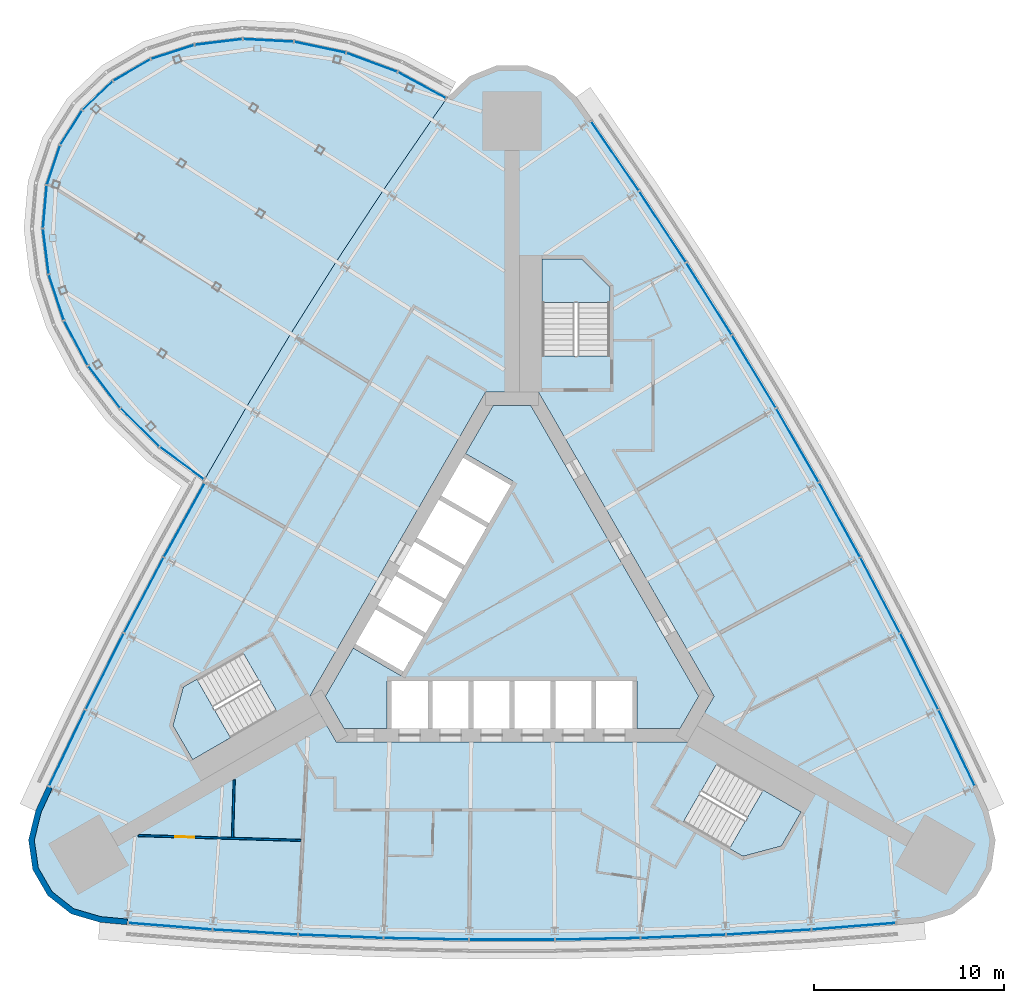
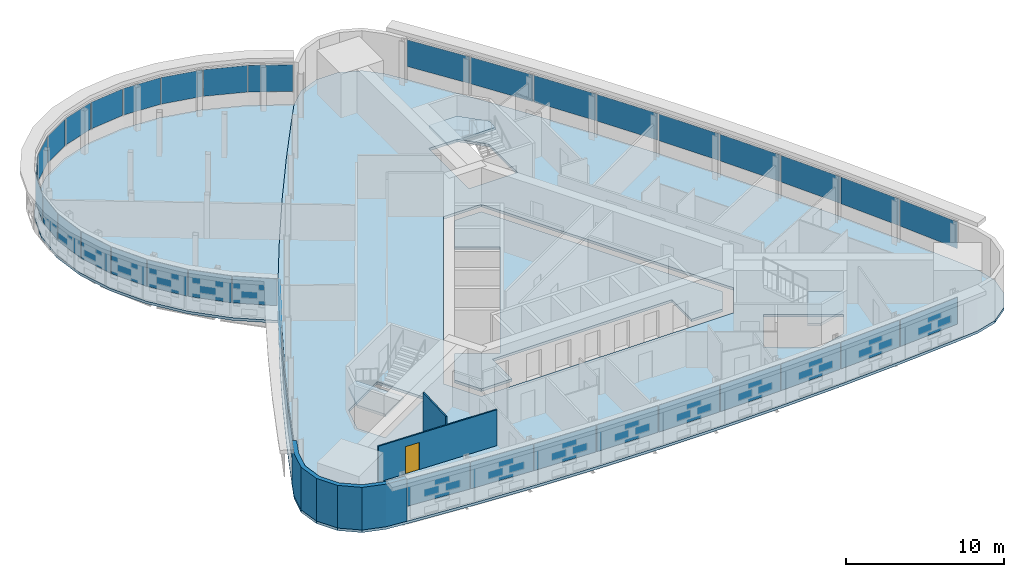
# One storey, part 10 of 17: 39 plates, 6 slabs, 3 walls, 1 door, 1 opening, 7 elements without a shape of their own.
"""IFC4 building model written with IfcOpenShell, lengths in metres."""

import ifcopenshell
import ifcopenshell.guid

model = None  # the IFC model being written
_history = None  # IfcOwnerHistory: only IFC2X3 demands one
_inside = {}  # id of a spatial element -> (the spatial element, [elements in it])
_under = {}  # id of a project, library or spatial element -> (it, [spatial elements below it])
_declared = {}  # id of a project -> (the project, [libraries it declares])
_typed = {}  # id of a type object -> (the type object, [elements of that type])
_made_of = {}  # id of a material, layer set ... -> (it, [elements and type objects made of it])


def new_model(schema):
    """Start an empty IFC model of exactly this schema.

    Asked for "IFC4X3", IfcOpenShell would pick the latest addendum, in which some entities
    have other attributes; the version numbers below select the first issue.
    IFC2X3 requires an IfcOwnerHistory on every rooted entity: one is made here for all.
    """
    global model, _history
    if schema == "IFC4X3":
        model = ifcopenshell.file(schema_version=(4, 3, 0, 0))
    else:
        model = ifcopenshell.file(schema=schema)
    _inside.clear()
    _under.clear()
    _declared.clear()
    _typed.clear()
    _made_of.clear()
    _history = None
    if model.schema == "IFC2X3":
        org = make("IfcOrganization", Name="unknown")
        user = make(
            "IfcPersonAndOrganization",
            ThePerson=make("IfcPerson", FamilyName="unknown"),
            TheOrganization=org,
        )
        app = make(
            "IfcApplication",
            ApplicationDeveloper=org,
            Version="unknown",
            ApplicationFullName="unknown",
            ApplicationIdentifier="unknown",
        )
        _history = make(
            "IfcOwnerHistory",
            OwningUser=user,
            OwningApplication=app,
            ChangeAction="ADDED",
            CreationDate=0,
        )
    return model


def make(cls, **values):
    """One entity of the class cls with the attributes given. An attribute that is None is left unset."""
    return model.create_entity(
        cls, **{name: value for name, value in values.items() if value is not None}
    )


def rooted(cls, **values):
    """An entity with a GlobalId (a new one), such as an element, a storey or a relation."""
    return make(cls, GlobalId=ifcopenshell.guid.new(), OwnerHistory=_history, **values)


def si_unit(unit_type, name, prefix=None):
    """IfcSIUnit, for example si_unit("LENGTHUNIT", "METRE", prefix="MILLI")."""
    return make("IfcSIUnit", UnitType=unit_type, Prefix=prefix, Name=name)


def assignment(units):
    """IfcUnitAssignment: the units of a project."""
    return None if units is None else make("IfcUnitAssignment", Units=units)


def point(xyz):
    """IfcCartesianPoint."""
    return None if xyz is None else make("IfcCartesianPoint", Coordinates=xyz)


def direction(xyz):
    """IfcDirection."""
    return None if xyz is None else make("IfcDirection", DirectionRatios=xyz)


def frame(location, z_axis=None, x_axis=None):
    """IfcAxis2Placement3D, a coordinate frame: its origin and axes. An axis left out is left unset."""
    return make(
        "IfcAxis2Placement3D",
        Location=point(location),
        Axis=direction(z_axis),
        RefDirection=direction(x_axis),
    )


def frame_2d(location, x_axis=None):
    """IfcAxis2Placement2D, a coordinate frame in the plane: its origin and x axis."""
    return make(
        "IfcAxis2Placement2D", Location=point(location), RefDirection=direction(x_axis)
    )


def origin():
    """The frame at (0, 0, 0) with its axes left unset."""
    return frame((0.0, 0.0, 0.0))


def origin_2d():
    """The frame at (0, 0) in the plane with its x axis left unset."""
    return frame_2d((0.0, 0.0))


def place(relative_to, where):
    """IfcLocalPlacement: puts the frame where relative to a parent placement (None: the world)."""
    return make(
        "IfcLocalPlacement", PlacementRelTo=relative_to, RelativePlacement=where
    )


def context(
    kind, dimensions, precision=None, world=None, true_north=None, identifier=None
):
    """IfcGeometricRepresentationContext, for example the 3D "Model" context."""
    return make(
        "IfcGeometricRepresentationContext",
        ContextIdentifier=identifier,
        ContextType=kind,
        CoordinateSpaceDimension=dimensions,
        Precision=precision,
        WorldCoordinateSystem=world,
        TrueNorth=true_north,
    )


def subcontext(parent, identifier, kind, view, scale=None):
    """IfcGeometricRepresentationSubContext, for example "Body" below "Model"."""
    return make(
        "IfcGeometricRepresentationSubContext",
        ContextIdentifier=identifier,
        ContextType=kind,
        ParentContext=parent,
        TargetScale=scale,
        TargetView=view,
    )


def project(units=None, contexts=None):
    """IfcProject with its units and contexts."""
    return rooted(
        "IfcProject",
        Name="project",
        RepresentationContexts=contexts,
        UnitsInContext=assignment(units),
    )


def spatial(cls, under=None, at=None, **own):
    """A site, building, storey or space (cls), placed at a placement, below another one or the project."""
    s = rooted(cls, ObjectPlacement=at, **own)
    if under is not None:
        _under.setdefault(under.id(), (under, []))[1].append(s)
    return s


def polyline(points):
    """IfcPolyline through the points."""
    return make("IfcPolyline", Points=[point(p) for p in points])


def profile(cls, at=None, kind="AREA", **sizes):
    """A parametric profile (cls). Its sizes go by their IFC names, for example OverallWidth=200.0."""
    return make(cls, ProfileType=kind, Position=at, **sizes)


def rectangle(**sizes):
    """IfcRectangleProfileDef."""
    return profile("IfcRectangleProfileDef", **sizes)


def outline(outer, holes=None, kind="AREA"):
    """IfcArbitraryClosedProfileDef: a profile drawn as a closed curve; with holes, ...WithVoids."""
    if holes is None:
        return make("IfcArbitraryClosedProfileDef", ProfileType=kind, OuterCurve=outer)
    return make(
        "IfcArbitraryProfileDefWithVoids",
        ProfileType=kind,
        OuterCurve=outer,
        InnerCurves=holes,
    )


def extrude(swept, where, along, depth):
    """IfcExtrudedAreaSolid: the profile swept, set in the frame where, extruded along a direction by depth."""
    return make(
        "IfcExtrudedAreaSolid",
        SweptArea=swept,
        Position=where,
        ExtrudedDirection=direction(along),
        Depth=depth,
    )


def shape(context_of_items, identifier, shape_type, items):
    """IfcShapeRepresentation: the items that make up one representation, for example the "Body"."""
    return make(
        "IfcShapeRepresentation",
        ContextOfItems=context_of_items,
        RepresentationIdentifier=identifier,
        RepresentationType=shape_type,
        Items=items,
    )


def material(Name=None, Category=None):
    """IfcMaterial."""
    return make("IfcMaterial", Name=Name, Category=Category)


def layer(
    of_material, thickness, ventilated=None, Name=None, Category=None, Priority=None
):
    """IfcMaterialLayer: one layer of a wall or slab, of a material (None: an air gap)."""
    return make(
        "IfcMaterialLayer",
        Material=of_material,
        LayerThickness=thickness,
        IsVentilated=ventilated,
        Name=Name,
        Category=Category,
        Priority=Priority,
    )


def layer_set(layers, Name=None):
    """IfcMaterialLayerSet."""
    return make("IfcMaterialLayerSet", MaterialLayers=layers, LayerSetName=Name)


def made_of(thing, what):
    """Note that an element or type object is made of a material, layer set ...; save() writes the relation."""
    if what is not None:
        _made_of.setdefault(what.id(), (what, []))[1].append(thing)
    return thing


def type_object(cls, material=None, **own):
    """A type object (cls), such as IfcWallType, which elements share."""
    return made_of(rooted(cls, **own), material)


def element(
    cls,
    number,
    at=None,
    inside=None,
    cuts=None,
    type_object=None,
    material=None,
    context=None,
    identifier="Body",
    shape_type=None,
    held_by="IfcProductDefinitionShape",
    body=None,
    shapes=None,
    **own,
):
    """One element of the class cls, such as IfcWall. Its Tag is "e" and its number.

    at: its placement. inside: the storey or other place that contains it. cuts: it is an
    opening in that element (IfcRelVoidsElement). A single representation is given by context,
    identifier, shape_type and body (its items); several are given by shapes. held_by: the class
    of the entity that holds the representations. save() writes the other relations.
    """
    e = rooted(cls, Tag="e%d" % number, ObjectPlacement=at, **own)
    if body is not None:
        shapes = [shape(context, identifier, shape_type, body)]
    if shapes is not None:
        e.Representation = make(held_by, Representations=shapes)
    if inside is not None:
        _inside.setdefault(inside.id(), (inside, []))[1].append(e)
    if cuts is not None:
        rooted(
            "IfcRelVoidsElement", RelatingBuildingElement=cuts, RelatedOpeningElement=e
        )
    if type_object is not None:
        _typed.setdefault(type_object.id(), (type_object, []))[1].append(e)
    return made_of(e, material)


def fill(opening, filler):
    """IfcRelFillsElement: the door or window that sits in an opening."""
    return rooted(
        "IfcRelFillsElement",
        RelatingOpeningElement=opening,
        RelatedBuildingElement=filler,
    )


def aggregate(whole, parts):
    """IfcRelAggregates: a whole, such as a stair, and the parts it consists of."""
    return rooted("IfcRelAggregates", RelatingObject=whole, RelatedObjects=parts)


def save(model, path):
    """Write the relations noted so far, then the file.

    IfcRelAggregates (storeys below a building ...), IfcRelContainedInSpatialStructure (elements
    in a storey), IfcRelDefinesByType, IfcRelAssociatesMaterial and IfcRelDeclares: one each for
    every whole, place, type object, material and project.
    """
    for whole, parts in _under.values():
        aggregate(whole, parts)
    for where, things in _inside.values():
        rooted(
            "IfcRelContainedInSpatialStructure",
            RelatedElements=things,
            RelatingStructure=where,
        )
    for kind, things in _typed.values():
        rooted("IfcRelDefinesByType", RelatedObjects=things, RelatingType=kind)
    for what, things in _made_of.values():
        rooted("IfcRelAssociatesMaterial", RelatedObjects=things, RelatingMaterial=what)
    for by, libraries in _declared.values():
        rooted("IfcRelDeclares", RelatingContext=by, RelatedDefinitions=libraries)
    model.write(path)


model = new_model("IFC4")

# Units and contexts
model_context = context("Model", 3, precision=1e-05, world=origin(), true_north=direction((0.0, 1.0)))
body_context = subcontext(model_context, "Body", "Model", "MODEL_VIEW")
ifc_project = project(units=[si_unit("LENGTHUNIT", "METRE"), si_unit("AREAUNIT", "SQUARE_METRE"), si_unit("VOLUMEUNIT", "CUBIC_METRE"), si_unit("PLANEANGLEUNIT", "RADIAN"), si_unit("MASSUNIT", "GRAM", prefix="KILO")], contexts=[model_context])

# Site, building, storey
site_placement = place(None, origin())
site = spatial("IfcSite", under=ifc_project, at=site_placement, CompositionType="ELEMENT")
building_placement = place(site_placement, origin())
building = spatial("IfcBuilding", under=site, at=building_placement, Name="Noor Cloister Tower", CompositionType="ELEMENT")
storey_placement = place(building_placement, frame((0.0, 0.0, 95.10009765625)))
storey = spatial("IfcBuildingStorey", under=building, at=storey_placement, Name="L24", CompositionType="ELEMENT", Elevation=95.10009765625)

# Slabs
ifc_material_1 = material(Name="Concrete C40/50", Category="concrete")
ifc_layer_1 = layer(ifc_material_1, 0.199951171875)
ifc_layer_set_1 = layer_set([ifc_layer_1], Name="Core floor slab 200 C40/50")
slab_type_1 = type_object("IfcSlabType", Name="Core floor slab 200 C40/50", PredefinedType="FLOOR", material=ifc_layer_set_1)
slab_1_placement = place(storey_placement, frame((0.0, 0.0, -0.2001953125)))
element("IfcSlab", 1, at=slab_1_placement, inside=storey, type_object=slab_type_1, Name="Core floor L24", PredefinedType="FLOOR", context=body_context, shape_type="SweptSolid", body=[
    extrude(outline(polyline([(-6.574951171875, -6.228271484375), (-6.574951171875, -3.728271484375), (6.574951171875, -3.728271484375), (6.574951171875, -6.228271484375), (8.82470703125, -6.228271484375), (9.80615234375, -4.5283203125), (0.9814453125, 10.75634765625), (-0.9814453125, 10.75634765625), (-2.44384765625, 8.2236328125), (0.067626953125, 6.773681640625), (-5.832275390625, -3.4453125), (-8.34375, -1.995361328125), (-9.80615234375, -4.5283203125), (-8.82470703125, -6.228271484375), (-6.574951171875, -6.228271484375)])), origin(), (0.0, 0.0, 1.0), 0.2001953125),
])
ifc_material_2 = material(Name="Concrete C40/50", Category="concrete")
ifc_layer_2 = layer(ifc_material_2, 0.199951171875)
ifc_layer_set_2 = layer_set([ifc_layer_2], Name="Floor slab 200 C40/50")
slab_type_2 = type_object("IfcSlabType", Name="Floor slab 200 C40/50", PredefinedType="FLOOR", material=ifc_layer_set_2)
slab_2_placement = place(storey_placement, frame((0.0, 0.0, -0.2001953125)))
element("IfcSlab", 2, at=slab_2_placement, inside=storey, type_object=slab_type_2, Name="Floor slab L24", PredefinedType="FLOOR", context=body_context, shape_type="SweptSolid", body=[
    extrude(outline(polyline([(3.37548828125, 26.95263671875), (2.240478515625, 28.035400390625), (0.784423828125, 28.61865234375), (-0.784423828125, 28.61865234375), (-2.240478515625, 28.035400390625), (-3.37548828125, 26.95263671875), (-4.204833984375, 25.77978515625), (-6.754150390625, 22.07177734375), (-9.230224609375, 18.314208984375), (-11.6318359375, 14.5087890625), (-13.9580078125, 10.65673828125), (-16.2080078125, 6.759765625), (-18.380859375, 2.819091796875), (-20.475830078125, -1.16357421875), (-22.49169921875, -5.1865234375), (-24.42822265625, -9.24853515625), (-25.029541015625, -10.552978515625), (-25.399658203125, -12.077392578125), (-25.1767578125, -13.630126953125), (-24.392333984375, -14.988525390625), (-23.1591796875, -15.958251953125), (-21.65380859375, -16.399658203125), (-20.2236328125, -16.53125), (-15.737548828125, -16.88525390625), (-11.245361328125, -17.150634765625), (-6.7490234375, -17.327880859375), (-2.25, -17.41650390625), (2.25, -17.41650390625), (6.7490234375, -17.327880859375), (11.245361328125, -17.150634765625), (15.737548828125, -16.88525390625), (20.2236328125, -16.53125), (21.65380859375, -16.399658203125), (23.1591796875, -15.958251953125), (24.392333984375, -14.988525390625), (25.1767578125, -13.630126953125), (25.399658203125, -12.077392578125), (25.029541015625, -10.552978515625), (24.42822265625, -9.24853515625), (22.49169921875, -5.1865234375), (20.475830078125, -1.16357421875), (18.380859375, 2.819091796875), (16.2080078125, 6.759765625), (13.9580078125, 10.65673828125), (11.6318359375, 14.5087890625), (9.230224609375, 18.314208984375), (6.754150390625, 22.07177734375), (4.204833984375, 25.77978515625), (3.37548828125, 26.95263671875)]), holes=[polyline([(8.999755859375, -11.126220703125), (12.131591796875, -12.934326171875), (14.1572265625, -12.3916015625), (15.19091796875, -10.601318359375), (10.774658203125, -8.0517578125), (8.999755859375, -11.126220703125)]), polyline([(-17.81005859375, -6.064697265625), (-16.776611328125, -7.85498046875), (-12.3603515625, -5.305419921875), (-14.13525390625, -2.23095703125), (-16.662841796875, -3.690185546875), (-17.267333984375, -4.039306640625), (-17.81005859375, -6.064697265625)]), polyline([(-10.6142578125, -4.5283203125), (-9.228759765625, -6.92822265625), (9.228759765625, -6.92822265625), (10.6142578125, -4.5283203125), (1.3857421875, 11.456298828125), (-1.3857421875, 11.456298828125), (-10.6142578125, -4.5283203125)]), polyline([(3.65283203125, 18.456298828125), (1.585693359375, 18.456298828125), (1.585693359375, 13.35693359375), (5.135498046875, 13.35693359375), (5.135498046875, 16.9736328125), (3.65283203125, 18.456298828125)])]), origin(), (0.0, 0.0, 1.0), 0.2001953125),
])

# Curtain wall, plates
ifc_material_3 = material(Name="Aluminium 6063-T6 anodised", Category="aluminium")
curtain_wall_type_1 = type_object("IfcCurtainWallType", Name="Ribbon curtain wall, lower tower CW1", PredefinedType="NOTDEFINED", material=ifc_material_3)
curtain_wall_1_placement = place(storey_placement, origin())
curtain_wall_1 = element("IfcCurtainWall", 3, at=curtain_wall_1_placement, inside=storey, type_object=curtain_wall_type_1, Name="CW1 L24 NW run 2", PredefinedType="NOTDEFINED")
ifc_material_4 = material(Name="Clear laminated glass 2 x 8 mm", Category="glass")
ifc_layer_3 = layer(ifc_material_4, 0.028076171875)
ifc_layer_set_3 = layer_set([ifc_layer_3], Name="Glass panel CW1")
plate_type_1 = type_object("IfcPlateType", Name="Glass panel CW1", PredefinedType="CURTAIN_PANEL", material=ifc_layer_set_3)
plate_1_placement = place(storey_placement, frame((-17.21630859375, 4.72412109375, 1.08984375), z_axis=(0.0, 0.0, 1.0), x_axis=(-0.482858038737, -0.875698643614, 0.0)))
plate_1 = element("IfcPlate", 4, at=plate_1_placement, type_object=plate_type_1, Name="CW1 glass panel 1", PredefinedType="CURTAIN_PANEL", context=body_context, shape_type="SweptSolid", body=[
    extrude(rectangle(XDim=4.39892578125, YDim=0.028076171875, at=origin_2d()), origin(), (0.0, 0.0, 1.0), 2.070068359375),
])
plate_2_placement = place(storey_placement, frame((-19.33984375, 0.78125, 1.08984375), z_axis=(0.0, 0.0, 1.0), x_axis=(-0.465528993936, -0.885032629797, 0.0)))
plate_2 = element("IfcPlate", 5, at=plate_2_placement, type_object=plate_type_1, Name="CW1 glass panel 2", PredefinedType="CURTAIN_PANEL", context=body_context, shape_type="SweptSolid", body=[
    extrude(rectangle(XDim=4.43798828125, YDim=0.028076171875, at=origin_2d()), origin(), (0.0, 0.0, 1.0), 2.070068359375),
])
plate_3_placement = place(storey_placement, frame((-21.394287109375, -3.2197265625, 1.08984375), z_axis=(0.0, 0.0, 1.0), x_axis=(-0.448019609919, -0.894023729622, 0.0)))
plate_3 = element("IfcPlate", 6, at=plate_3_placement, type_object=plate_type_1, Name="CW1 glass panel 3", PredefinedType="CURTAIN_PANEL", context=body_context, shape_type="SweptSolid", body=[
    extrude(rectangle(XDim=4.43798828125, YDim=0.028076171875, at=origin_2d()), origin(), (0.0, 0.0, 1.0), 2.070068359375),
])
plate_4_placement = place(storey_placement, frame((-23.361328125, -7.242919921875, 1.08984375), z_axis=(0.0, 0.0, 1.0), x_axis=(-0.430336639105, -0.902668475712, 0.0)))
plate_4 = element("IfcPlate", 7, at=plate_4_placement, type_object=plate_type_1, Name="CW1 glass panel 4", PredefinedType="CURTAIN_PANEL", context=body_context, shape_type="SweptSolid", body=[
    extrude(rectangle(XDim=4.39892578125, YDim=0.028076171875, at=origin_2d()), origin(), (0.0, 0.0, 1.0), 2.070068359375),
])
aggregate(curtain_wall_1, [plate_1, plate_2, plate_3, plate_4])

curtain_wall_2_placement = place(storey_placement, origin())
curtain_wall_2 = element("IfcCurtainWall", 8, at=curtain_wall_2_placement, inside=storey, type_object=curtain_wall_type_1, Name="CW1 L24 S run 3", PredefinedType="NOTDEFINED")
plate_5_placement = place(storey_placement, frame((-17.953125, -16.610107421875, 1.08984375), z_axis=(0.0, 0.0, 1.0), x_axis=(0.996902150714, -0.078651776212, 0.0)))
plate_5 = element("IfcPlate", 9, at=plate_5_placement, type_object=plate_type_1, Name="CW1 glass panel 1", PredefinedType="CURTAIN_PANEL", context=body_context, shape_type="SweptSolid", body=[
    extrude(rectangle(XDim=4.39892578125, YDim=0.028076171875, at=origin_2d()), origin(), (0.0, 0.0, 1.0), 2.070068359375),
])
plate_6_placement = place(storey_placement, frame((-13.485595703125, -16.918212890625, 1.08984375), z_axis=(0.0, 0.0, 1.0), x_axis=(0.998257066399, -0.059015501228, 0.0)))
plate_6 = element("IfcPlate", 10, at=plate_6_placement, type_object=plate_type_1, Name="CW1 glass panel 2", PredefinedType="CURTAIN_PANEL", context=body_context, shape_type="SweptSolid", body=[
    extrude(rectangle(XDim=4.43798828125, YDim=0.028076171875, at=origin_2d()), origin(), (0.0, 0.0, 1.0), 2.070068359375),
])
plate_7_placement = place(storey_placement, frame((-8.993408203125, -17.139404296875, 1.08984375), z_axis=(0.0, 0.0, 1.0), x_axis=(0.99922523755, -0.039356379951, 0.0)))
plate_7 = element("IfcPlate", 11, at=plate_7_placement, type_object=plate_type_1, Name="CW1 glass panel 3", PredefinedType="CURTAIN_PANEL", context=body_context, shape_type="SweptSolid", body=[
    extrude(rectangle(XDim=4.43798828125, YDim=0.028076171875, at=origin_2d()), origin(), (0.0, 0.0, 1.0), 2.070068359375),
])
plate_8_placement = place(storey_placement, frame((-4.49755859375, -17.272216796875, 1.08984375), z_axis=(0.0, 0.0, 1.0), x_axis=(0.999806290798, -0.019681993839, 0.0)))
plate_8 = element("IfcPlate", 12, at=plate_8_placement, type_object=plate_type_1, Name="CW1 glass panel 4", PredefinedType="CURTAIN_PANEL", context=body_context, shape_type="SweptSolid", body=[
    extrude(rectangle(XDim=4.43798828125, YDim=0.028076171875, at=origin_2d()), origin(), (0.0, 0.0, 1.0), 2.070068359375),
])
plate_9_placement = place(storey_placement, frame((0.0, -17.31640625, 1.08984375), z_axis=(0.0, 0.0, 1.0), x_axis=(1.0, 0.0, 0.0)))
plate_9 = element("IfcPlate", 13, at=plate_9_placement, type_object=plate_type_1, Name="CW1 glass panel 5", PredefinedType="CURTAIN_PANEL", context=body_context, shape_type="SweptSolid", body=[
    extrude(rectangle(XDim=4.43798828125, YDim=0.028076171875, at=origin_2d()), origin(), (0.0, 0.0, 1.0), 2.070068359375),
])
plate_10_placement = place(storey_placement, frame((4.49755859375, -17.272216796875, 1.08984375), z_axis=(0.0, 0.0, 1.0), x_axis=(0.999806290798, 0.019681993839, 0.0)))
plate_10 = element("IfcPlate", 14, at=plate_10_placement, type_object=plate_type_1, Name="CW1 glass panel 6", PredefinedType="CURTAIN_PANEL", context=body_context, shape_type="SweptSolid", body=[
    extrude(rectangle(XDim=4.43798828125, YDim=0.028076171875, at=origin_2d()), origin(), (0.0, 0.0, 1.0), 2.070068359375),
])
plate_11_placement = place(storey_placement, frame((8.993408203125, -17.139404296875, 1.08984375), z_axis=(0.0, 0.0, 1.0), x_axis=(0.99922523755, 0.039356379951, 0.0)))
plate_11 = element("IfcPlate", 15, at=plate_11_placement, type_object=plate_type_1, Name="CW1 glass panel 7", PredefinedType="CURTAIN_PANEL", context=body_context, shape_type="SweptSolid", body=[
    extrude(rectangle(XDim=4.43798828125, YDim=0.028076171875, at=origin_2d()), origin(), (0.0, 0.0, 1.0), 2.070068359375),
])
plate_12_placement = place(storey_placement, frame((13.485595703125, -16.918212890625, 1.08984375), z_axis=(0.0, 0.0, 1.0), x_axis=(0.998257066399, 0.059015501228, 0.0)))
plate_12 = element("IfcPlate", 16, at=plate_12_placement, type_object=plate_type_1, Name="CW1 glass panel 8", PredefinedType="CURTAIN_PANEL", context=body_context, shape_type="SweptSolid", body=[
    extrude(rectangle(XDim=4.43798828125, YDim=0.028076171875, at=origin_2d()), origin(), (0.0, 0.0, 1.0), 2.070068359375),
])
plate_13_placement = place(storey_placement, frame((17.953125, -16.610107421875, 1.08984375), z_axis=(0.0, 0.0, 1.0), x_axis=(0.996902150714, 0.078651776212, 0.0)))
plate_13 = element("IfcPlate", 17, at=plate_13_placement, type_object=plate_type_1, Name="CW1 glass panel 9", PredefinedType="CURTAIN_PANEL", context=body_context, shape_type="SweptSolid", body=[
    extrude(rectangle(XDim=4.39892578125, YDim=0.028076171875, at=origin_2d()), origin(), (0.0, 0.0, 1.0), 2.070068359375),
])
aggregate(curtain_wall_2, [plate_5, plate_6, plate_7, plate_8, plate_9, plate_10, plate_11, plate_12, plate_13])

curtain_wall_3_placement = place(storey_placement, origin())
curtain_wall_3 = element("IfcCurtainWall", 18, at=curtain_wall_3_placement, inside=storey, type_object=curtain_wall_type_1, Name="CW1 L24 NE run 4", PredefinedType="NOTDEFINED")
plate_14_placement = place(storey_placement, frame((23.361328125, -7.242919921875, 1.08984375), z_axis=(0.0, 0.0, 1.0), x_axis=(-0.430336639105, 0.902668475712, 0.0)))
plate_14 = element("IfcPlate", 19, at=plate_14_placement, type_object=plate_type_1, Name="CW1 glass panel 1", PredefinedType="CURTAIN_PANEL", context=body_context, shape_type="SweptSolid", body=[
    extrude(rectangle(XDim=4.39892578125, YDim=0.028076171875, at=origin_2d()), origin(), (0.0, 0.0, 1.0), 2.070068359375),
])
plate_15_placement = place(storey_placement, frame((21.394287109375, -3.2197265625, 1.08984375), z_axis=(0.0, 0.0, 1.0), x_axis=(-0.448019609919, 0.894023729622, 0.0)))
plate_15 = element("IfcPlate", 20, at=plate_15_placement, type_object=plate_type_1, Name="CW1 glass panel 2", PredefinedType="CURTAIN_PANEL", context=body_context, shape_type="SweptSolid", body=[
    extrude(rectangle(XDim=4.43798828125, YDim=0.028076171875, at=origin_2d()), origin(), (0.0, 0.0, 1.0), 2.070068359375),
])
plate_16_placement = place(storey_placement, frame((19.33984375, 0.78125, 1.08984375), z_axis=(0.0, 0.0, 1.0), x_axis=(-0.465528993936, 0.885032629797, 0.0)))
plate_16 = element("IfcPlate", 21, at=plate_16_placement, type_object=plate_type_1, Name="CW1 glass panel 3", PredefinedType="CURTAIN_PANEL", context=body_context, shape_type="SweptSolid", body=[
    extrude(rectangle(XDim=4.43798828125, YDim=0.028076171875, at=origin_2d()), origin(), (0.0, 0.0, 1.0), 2.070068359375),
])
plate_17_placement = place(storey_placement, frame((17.206787109375, 4.7412109375, 1.08984375), z_axis=(0.0, 0.0, 1.0), x_axis=(-0.482858038737, 0.875698643614, 0.0)))
plate_17 = element("IfcPlate", 22, at=plate_17_placement, type_object=plate_type_1, Name="CW1 glass panel 4", PredefinedType="CURTAIN_PANEL", context=body_context, shape_type="SweptSolid", body=[
    extrude(rectangle(XDim=4.43798828125, YDim=0.028076171875, at=origin_2d()), origin(), (0.0, 0.0, 1.0), 2.070068359375),
])
plate_18_placement = place(storey_placement, frame((14.996337890625, 8.658203125, 1.08984375), z_axis=(0.0, 0.0, 1.0), x_axis=(-0.5, 0.866025403784, 0.0)))
plate_18 = element("IfcPlate", 23, at=plate_18_placement, type_object=plate_type_1, Name="CW1 glass panel 5", PredefinedType="CURTAIN_PANEL", context=body_context, shape_type="SweptSolid", body=[
    extrude(rectangle(XDim=4.43798828125, YDim=0.028076171875, at=origin_2d()), origin(), (0.0, 0.0, 1.0), 2.070068359375),
])
plate_19_placement = place(storey_placement, frame((12.70947265625, 12.531005859375, 1.08984375), z_axis=(0.0, 0.0, 1.0), x_axis=(-0.516948252061, 0.856016649775, 0.0)))
plate_19 = element("IfcPlate", 24, at=plate_19_placement, type_object=plate_type_1, Name="CW1 glass panel 6", PredefinedType="CURTAIN_PANEL", context=body_context, shape_type="SweptSolid", body=[
    extrude(rectangle(XDim=4.43798828125, YDim=0.028076171875, at=origin_2d()), origin(), (0.0, 0.0, 1.0), 2.070068359375),
])
plate_20_placement = place(storey_placement, frame((10.346435546875, 16.358154296875, 1.08984375), z_axis=(0.0, 0.0, 1.0), x_axis=(-0.533696243614, 0.845676249845, 0.0)))
plate_20 = element("IfcPlate", 25, at=plate_20_placement, type_object=plate_type_1, Name="CW1 glass panel 7", PredefinedType="CURTAIN_PANEL", context=body_context, shape_type="SweptSolid", body=[
    extrude(rectangle(XDim=4.43798828125, YDim=0.028076171875, at=origin_2d()), origin(), (0.0, 0.0, 1.0), 2.070068359375),
])
plate_21_placement = place(storey_placement, frame((7.90869140625, 20.137939453125, 1.08984375), z_axis=(0.0, 0.0, 1.0), x_axis=(-0.550237456479, 0.835008228395, 0.0)))
plate_21 = element("IfcPlate", 26, at=plate_21_placement, type_object=plate_type_1, Name="CW1 glass panel 8", PredefinedType="CURTAIN_PANEL", context=body_context, shape_type="SweptSolid", body=[
    extrude(rectangle(XDim=4.43798828125, YDim=0.028076171875, at=origin_2d()), origin(), (0.0, 0.0, 1.0), 2.070068359375),
])
plate_22_placement = place(storey_placement, frame((5.408203125, 23.85302734375, 1.08984375), z_axis=(0.0, 0.0, 1.0), x_axis=(-0.566565511609, 0.8240166995, 0.0)))
plate_22 = element("IfcPlate", 27, at=plate_22_placement, type_object=plate_type_1, Name="CW1 glass panel 9", PredefinedType="CURTAIN_PANEL", context=body_context, shape_type="SweptSolid", body=[
    extrude(rectangle(XDim=4.39892578125, YDim=0.028076171875, at=origin_2d()), origin(), (0.0, 0.0, 1.0), 2.070068359375),
])
aggregate(curtain_wall_3, [plate_14, plate_15, plate_16, plate_17, plate_18, plate_19, plate_20, plate_21, plate_22])

ifc_material_5 = material(Name="Aluminium 6063-T6 anodised", Category="aluminium")
curtain_wall_type_2 = type_object("IfcCurtainWallType", Name="Sky bar curtain wall, lower bars CW2", PredefinedType="NOTDEFINED", material=ifc_material_5)
curtain_wall_4_placement = place(storey_placement, origin())
curtain_wall_4 = element("IfcCurtainWall", 28, at=curtain_wall_4_placement, inside=storey, type_object=curtain_wall_type_2, Name="CW2 L24 NW sky bar run 1", PredefinedType="NOTDEFINED")
ifc_material_6 = material(Name="Clear laminated glass 2 x 8 mm", Category="glass")
ifc_layer_4 = layer(ifc_material_6, 0.028076171875)
ifc_layer_set_4 = layer_set([ifc_layer_4], Name="Glass panel CW2")
plate_type_2 = type_object("IfcPlateType", Name="Glass panel CW2", PredefinedType="CURTAIN_PANEL", material=ifc_layer_set_4)
plate_23_placement = place(storey_placement, frame((-4.73291015625, 27.5751953125, 1.08984375), z_axis=(0.0, 0.0, 1.0), x_axis=(-0.879047686992, 0.476733850271, 0.0)))
plate_23 = element("IfcPlate", 29, at=plate_23_placement, type_object=plate_type_2, Name="CW2 glass panel 1", PredefinedType="CURTAIN_PANEL", context=body_context, shape_type="SweptSolid", body=[
    extrude(rectangle(XDim=2.83984375, YDim=0.028076171875, at=origin_2d()), origin(), (0.0, 0.0, 1.0), 2.070068359375),
])
plate_24_placement = place(storey_placement, frame((-7.361328125, 28.7705078125, 1.08984375), z_axis=(0.0, 0.0, 1.0), x_axis=(-0.937123819566, 0.348997058443, 0.0)))
plate_24 = element("IfcPlate", 30, at=plate_24_placement, type_object=plate_type_2, Name="CW2 glass panel 2", PredefinedType="CURTAIN_PANEL", context=body_context, shape_type="SweptSolid", body=[
    extrude(rectangle(XDim=2.828857421875, YDim=0.028076171875, at=origin_2d()), origin(), (0.0, 0.0, 1.0), 2.070068359375),
])
plate_25_placement = place(storey_placement, frame((-10.0869140625, 29.566650390625, 1.08984375), z_axis=(0.0, 0.0, 1.0), x_axis=(-0.978091544685, 0.208175239201, 0.0)))
plate_25 = element("IfcPlate", 31, at=plate_25_placement, type_object=plate_type_2, Name="CW2 glass panel 3", PredefinedType="CURTAIN_PANEL", context=body_context, shape_type="SweptSolid", body=[
    extrude(rectangle(XDim=2.744873046875, YDim=0.028076171875, at=origin_2d()), origin(), (0.0, 0.0, 1.0), 2.070068359375),
])
plate_26_placement = place(storey_placement, frame((-12.801513671875, 29.9287109375, 1.08984375), z_axis=(0.0, 0.0, 1.0), x_axis=(-0.998642464858, 0.052088649262, 0.0)))
plate_26 = element("IfcPlate", 32, at=plate_26_placement, type_object=plate_type_2, Name="CW2 glass panel 4", PredefinedType="CURTAIN_PANEL", context=body_context, shape_type="SweptSolid", body=[
    extrude(rectangle(XDim=2.62890625, YDim=0.028076171875, at=origin_2d()), origin(), (0.0, 0.0, 1.0), 2.070068359375),
])
plate_27_placement = place(storey_placement, frame((-15.412109375, 29.8447265625, 1.08984375), z_axis=(0.0, 0.0, 1.0), x_axis=(-0.992712056582, -0.12051046725, 0.0)))
plate_27 = element("IfcPlate", 33, at=plate_27_placement, type_object=plate_type_2, Name="CW2 glass panel 5", PredefinedType="CURTAIN_PANEL", context=body_context, shape_type="SweptSolid", body=[
    extrude(rectangle(XDim=2.493896484375, YDim=0.028076171875, at=origin_2d()), origin(), (0.0, 0.0, 1.0), 2.070068359375),
])
plate_28_placement = place(storey_placement, frame((-17.82958984375, 29.31884765625, 1.08984375), z_axis=(0.0, 0.0, 1.0), x_axis=(-0.9514061289, -0.307938919091, 0.0)))
plate_28 = element("IfcPlate", 34, at=plate_28_placement, type_object=plate_type_2, Name="CW2 glass panel 6", PredefinedType="CURTAIN_PANEL", context=body_context, shape_type="SweptSolid", body=[
    extrude(rectangle(XDim=2.356201171875, YDim=0.028076171875, at=origin_2d()), origin(), (0.0, 0.0, 1.0), 2.070068359375),
])
plate_29_placement = place(storey_placement, frame((-19.971435546875, 28.36962890625, 1.08984375), z_axis=(0.0, 0.0, 1.0), x_axis=(-0.864505116655, -0.502624017808, 0.0)))
plate_29 = element("IfcPlate", 35, at=plate_29_placement, type_object=plate_type_2, Name="CW2 glass panel 7", PredefinedType="CURTAIN_PANEL", context=body_context, shape_type="SweptSolid", body=[
    extrude(rectangle(XDim=2.235595703125, YDim=0.028076171875, at=origin_2d()), origin(), (0.0, 0.0, 1.0), 2.070068359375),
])
plate_30_placement = place(storey_placement, frame((-21.76611328125, 27.03076171875, 1.08984375), z_axis=(0.0, 0.0, 1.0), x_axis=(-0.725047879646, -0.688698462479, 0.0)))
plate_30 = element("IfcPlate", 36, at=plate_30_placement, type_object=plate_type_2, Name="CW2 glass panel 8", PredefinedType="CURTAIN_PANEL", context=body_context, shape_type="SweptSolid", body=[
    extrude(rectangle(XDim=2.152099609375, YDim=0.028076171875, at=origin_2d()), origin(), (0.0, 0.0, 1.0), 2.070068359375),
])
plate_31_placement = place(storey_placement, frame((-23.15380859375, 25.34765625, 1.08984375), z_axis=(0.0, 0.0, 1.0), x_axis=(-0.53635025801, -0.843995498052, 0.0)))
plate_31 = element("IfcPlate", 37, at=plate_31_placement, type_object=plate_type_2, Name="CW2 glass panel 9", PredefinedType="CURTAIN_PANEL", context=body_context, shape_type="SweptSolid", body=[
    extrude(rectangle(XDim=2.122314453125, YDim=0.028076171875, at=origin_2d()), origin(), (0.0, 0.0, 1.0), 2.070068359375),
])
plate_32_placement = place(storey_placement, frame((-24.08837890625, 23.37646484375, 1.08984375), z_axis=(0.0, 0.0, 1.0), x_axis=(-0.315619674124, -0.948885778851, 0.0)))
plate_32 = element("IfcPlate", 38, at=plate_32_placement, type_object=plate_type_2, Name="CW2 glass panel 10", PredefinedType="CURTAIN_PANEL", context=body_context, shape_type="SweptSolid", body=[
    extrude(rectangle(XDim=2.152099609375, YDim=0.028076171875, at=origin_2d()), origin(), (0.0, 0.0, 1.0), 2.070068359375),
])
plate_33_placement = place(storey_placement, frame((-24.53857421875, 21.18310546875, 1.08984375), z_axis=(0.0, 0.0, 1.0), x_axis=(-0.087934891536, -0.996126224356, 0.0)))
plate_33 = element("IfcPlate", 39, at=plate_33_placement, type_object=plate_type_2, Name="CW2 glass panel 11", PredefinedType="CURTAIN_PANEL", context=body_context, shape_type="SweptSolid", body=[
    extrude(rectangle(XDim=2.235595703125, YDim=0.028076171875, at=origin_2d()), origin(), (0.0, 0.0, 1.0), 2.070068359375),
])
plate_34_placement = place(storey_placement, frame((-24.488037109375, 18.8408203125, 1.08984375), z_axis=(0.0, 0.0, 1.0), x_axis=(0.125227226329, -0.992128087389, 0.0)))
plate_34 = element("IfcPlate", 40, at=plate_34_placement, type_object=plate_type_2, Name="CW2 glass panel 12", PredefinedType="CURTAIN_PANEL", context=body_context, shape_type="SweptSolid", body=[
    extrude(rectangle(XDim=2.356201171875, YDim=0.028076171875, at=origin_2d()), origin(), (0.0, 0.0, 1.0), 2.070068359375),
])
plate_35_placement = place(storey_placement, frame((-23.937744140625, 16.4287109375, 1.08984375), z_axis=(0.0, 0.0, 1.0), x_axis=(0.312457260775, -0.949931818705, 0.0)))
plate_35 = element("IfcPlate", 41, at=plate_35_placement, type_object=plate_type_2, Name="CW2 glass panel 13", PredefinedType="CURTAIN_PANEL", context=body_context, shape_type="SweptSolid", body=[
    extrude(rectangle(XDim=2.493896484375, YDim=0.028076171875, at=origin_2d()), origin(), (0.0, 0.0, 1.0), 2.070068359375),
])
plate_36_placement = place(storey_placement, frame((-22.905029296875, 14.029541015625, 1.08984375), z_axis=(0.0, 0.0, 1.0), x_axis=(0.471239018454, -0.882005548444, 0.0)))
plate_36 = element("IfcPlate", 42, at=plate_36_placement, type_object=plate_type_2, Name="CW2 glass panel 14", PredefinedType="CURTAIN_PANEL", context=body_context, shape_type="SweptSolid", body=[
    extrude(rectangle(XDim=2.62890625, YDim=0.028076171875, at=origin_2d()), origin(), (0.0, 0.0, 1.0), 2.070068359375),
])
plate_37_placement = place(storey_placement, frame((-21.424560546875, 11.725830078125, 1.08984375), z_axis=(0.0, 0.0, 1.0), x_axis=(0.603825610907, -0.797116447963, 0.0)))
plate_37 = element("IfcPlate", 43, at=plate_37_placement, type_object=plate_type_2, Name="CW2 glass panel 15", PredefinedType="CURTAIN_PANEL", context=body_context, shape_type="SweptSolid", body=[
    extrude(rectangle(XDim=2.744873046875, YDim=0.028076171875, at=origin_2d()), origin(), (0.0, 0.0, 1.0), 2.070068359375),
])
plate_38_placement = place(storey_placement, frame((-19.54638671875, 9.59619140625, 1.08984375), z_axis=(0.0, 0.0, 1.0), x_axis=(0.713922028433, -0.700225204715, 0.0)))
plate_38 = element("IfcPlate", 44, at=plate_38_placement, type_object=plate_type_2, Name="CW2 glass panel 16", PredefinedType="CURTAIN_PANEL", context=body_context, shape_type="SweptSolid", body=[
    extrude(rectangle(XDim=2.828857421875, YDim=0.028076171875, at=origin_2d()), origin(), (0.0, 0.0, 1.0), 2.070068359375),
])
plate_39_placement = place(storey_placement, frame((-17.347900390625, 7.724365234375, 1.08984375), z_axis=(0.0, 0.0, 1.0), x_axis=(0.804906671058, -0.593401424742, 0.0)))
plate_39 = element("IfcPlate", 45, at=plate_39_placement, type_object=plate_type_2, Name="CW2 glass panel 17", PredefinedType="CURTAIN_PANEL", context=body_context, shape_type="SweptSolid", body=[
    extrude(rectangle(XDim=2.83984375, YDim=0.028076171875, at=origin_2d()), origin(), (0.0, 0.0, 1.0), 2.070068359375),
])
aggregate(curtain_wall_4, [plate_23, plate_24, plate_25, plate_26, plate_27, plate_28, plate_29, plate_30, plate_31, plate_32, plate_33, plate_34, plate_35, plate_36, plate_37, plate_38, plate_39])

# Slab
ifc_material_7 = material(Name="Concrete C40/50", Category="concrete")
ifc_layer_5 = layer(ifc_material_7, 0.199951171875)
ifc_layer_set_5 = layer_set([ifc_layer_5], Name="Pod floor slab 200")
slab_type_3 = type_object("IfcSlabType", Name="Pod floor slab 200", PredefinedType="FLOOR", material=ifc_layer_set_5)
slab_3_placement = place(storey_placement, frame((0.0, 0.0, -0.2001953125)))
element("IfcSlab", 46, at=slab_3_placement, inside=storey, type_object=slab_type_3, Name="Pod floor slab L24", PredefinedType="FLOOR", context=body_context, shape_type="SweptSolid", body=[
    extrude(outline(polyline([(-3.37548828125, 26.95263671875), (-5.96630859375, 28.357666015625), (-8.68701171875, 29.370849609375), (-11.445556640625, 29.9580078125), (-14.147705078125, 30.098876953125), (-16.70166015625, 29.7890625), (-19.02001953125, 29.03857421875), (-21.0244140625, 27.873291015625), (-22.646240234375, 26.332763671875), (-23.830078125, 24.469482421875), (-24.5361328125, 22.34716796875), (-24.739990234375, 20.03759765625), (-24.434814453125, 17.619873046875), (-23.631103515625, 15.17626953125), (-22.35595703125, 12.78955078125), (-20.65283203125, 10.54150390625), (-18.580078125, 8.508544921875), (-16.2080078125, 6.759765625), (-13.9580078125, 10.65673828125), (-11.6318359375, 14.5087890625), (-9.230224609375, 18.314208984375), (-6.754150390625, 22.07177734375), (-4.204833984375, 25.77978515625), (-3.37548828125, 26.95263671875)])), origin(), (0.0, 0.0, 1.0), 0.2001953125),
])

# Stair, slab
ifc_material_8 = material(Name="Concrete C40/50", Category="concrete")
stair_type = type_object("IfcStairType", Name="Exit stair 22 risers", PredefinedType="HALF_TURN_STAIR", material=ifc_material_8)
stair_1_placement = place(storey_placement, origin())
stair_1 = element("IfcStair", 47, at=stair_1_placement, inside=storey, type_object=stair_type, Name="Exit stair ST1 L24", PredefinedType="HALF_TURN_STAIR")
ifc_material_9 = material(Name="Concrete C40/50", Category="concrete")
ifc_layer_6 = layer(ifc_material_9, 0.199951171875)
ifc_layer_set_6 = layer_set([ifc_layer_6], Name="Stair landing 200 C40/50")
slab_type_4 = type_object("IfcSlabType", Name="Stair landing 200 C40/50", PredefinedType="LANDING", material=ifc_layer_set_6)
slab_4_placement = place(storey_placement, frame((0.0, 0.0, 1.599853515625)))
slab_4 = element("IfcSlab", 48, at=slab_4_placement, type_object=slab_type_4, Name="ST1 landing 1", PredefinedType="LANDING", context=body_context, shape_type="SweptSolid", body=[
    extrude(outline(polyline([(5.135498046875, 16.15576171875), (5.135498046875, 16.9736328125), (3.65283203125, 18.456298828125), (1.585693359375, 18.456298828125), (1.585693359375, 16.15576171875), (5.135498046875, 16.15576171875)])), origin(), (0.0, 0.0, 1.0), 0.199951171875),
])
aggregate(stair_1, [slab_4])

stair_2_placement = place(storey_placement, origin())
stair_2 = element("IfcStair", 49, at=stair_2_placement, inside=storey, type_object=stair_type, Name="Exit stair ST2 L24", PredefinedType="HALF_TURN_STAIR")
slab_5_placement = place(storey_placement, frame((0.0, 0.0, 1.599853515625)))
slab_5 = element("IfcSlab", 50, at=slab_5_placement, type_object=slab_type_4, Name="ST2 landing 1", PredefinedType="LANDING", context=body_context, shape_type="SweptSolid", body=[
    extrude(outline(polyline([(-16.55908203125, -3.63037109375), (-17.267333984375, -4.039306640625), (-17.81005859375, -6.064697265625), (-16.776611328125, -7.85498046875), (-14.7841796875, -6.70458984375), (-16.55908203125, -3.63037109375)])), origin(), (0.0, 0.0, 1.0), 0.199951171875),
])
aggregate(stair_2, [slab_5])

stair_3_placement = place(storey_placement, origin())
stair_3 = element("IfcStair", 51, at=stair_3_placement, inside=storey, type_object=stair_type, Name="Exit stair ST3 L24", PredefinedType="HALF_TURN_STAIR")
slab_6_placement = place(storey_placement, frame((0.0, 0.0, 1.599853515625)))
slab_6 = element("IfcSlab", 52, at=slab_6_placement, type_object=slab_type_4, Name="ST3 landing 1", PredefinedType="LANDING", context=body_context, shape_type="SweptSolid", body=[
    extrude(outline(polyline([(11.423583984375, -12.525390625), (12.131591796875, -12.934326171875), (14.1572265625, -12.3916015625), (15.19091796875, -10.601318359375), (13.198486328125, -9.451171875), (11.423583984375, -12.525390625)])), origin(), (0.0, 0.0, 1.0), 0.199951171875),
])
aggregate(stair_3, [slab_6])

# Wall
ifc_material_10 = material(Name="Limestone", Category="masonry")
ifc_layer_7 = layer(ifc_material_10, 0.300048828125)
ifc_layer_set_7 = layer_set([ifc_layer_7], Name="Limestone cladding 300")
wall_type_1 = type_object("IfcWallType", Name="Limestone cladding 300", PredefinedType="NOTDEFINED", material=ifc_layer_set_7)
wall_1_placement = place(storey_placement, origin())
element("IfcWall", 53, at=wall_1_placement, inside=storey, type_object=wall_type_1, Name="Limestone pier cladding L24 1.1", PredefinedType="NOTDEFINED", context=body_context, shape_type="SweptSolid", body=[
    extrude(outline(polyline([(-24.42822265625, -9.24853515625), (-25.029541015625, -10.552978515625), (-25.399658203125, -12.077392578125), (-25.1767578125, -13.630126953125), (-24.392333984375, -14.988525390625), (-23.1591796875, -15.958251953125), (-21.65380859375, -16.399658203125), (-20.2236328125, -16.53125), (-20.196044921875, -16.232421875), (-21.597412109375, -16.103515625), (-23.019287109375, -15.6865234375), (-24.161376953125, -14.78857421875), (-24.887939453125, -13.5302734375), (-25.094482421875, -12.092041015625), (-24.744873046875, -10.652099609375), (-24.15576171875, -9.3740234375), (-24.42822265625, -9.24853515625)])), origin(), (0.0, 0.0, 1.0), 3.2998046875),
])

# Wall, opening, door
ifc_material_11 = material(Name="Gypsum board partition on steel studs, 100 mm", Category="steel")
ifc_layer_8 = layer(ifc_material_11, 0.10009765625)
ifc_layer_set_8 = layer_set([ifc_layer_8], Name="Partition 100")
wall_type_2 = type_object("IfcWallType", Name="Partition 100", PredefinedType="PARTITIONING", material=ifc_layer_set_8)
wall_2_placement = place(storey_placement, frame((-19.630126953125, -11.844482421875, 0.0), z_axis=(0.0, 0.0, 1.0), x_axis=(0.999564712957, -0.02950228145, 0.0)))
wall_2 = element("IfcWall", 54, at=wall_2_placement, inside=storey, type_object=wall_type_2, Name="Partition 100 L24 022", PredefinedType="PARTITIONING", context=body_context, shape_type="SweptSolid", body=[
    extrude(rectangle(XDim=8.54833984375, YDim=0.10009765625, at=frame_2d((4.274169921875, 0.0))), origin(), (0.0, 0.0, 1.0), 2.77783203125),
])
opening_placement = place(wall_2_placement, frame((1.94921875, 0.0, 0.0)))
opening = element("IfcOpeningElement", 55, at=opening_placement, cuts=wall_2, Name="Opening L24-013", PredefinedType="OPENING", context=body_context, shape_type="SweptSolid", body=[
    extrude(rectangle(XDim=1.0, YDim=2.10009765625, at=frame_2d((0.5, 1.050048828125))), frame((0.0, 0.06005859375, 0.0), z_axis=(0.0, -1.0, 0.0), x_axis=(1.0, 0.0, 0.0)), (0.0, 0.0, 1.0), 0.1201171875),
])
ifc_material_12 = material(Name="Timber door leaf with steel frame", Category="steel")
door_type = type_object("IfcDoorType", Name="Interior door 1000", OperationType="NOTDEFINED", PredefinedType="DOOR", material=ifc_material_12)
door_placement = place(opening_placement, origin())
door = element("IfcDoor", 56, at=door_placement, inside=storey, type_object=door_type, Name="Interior door 1000 L24-013", OperationType="SINGLE_SWING_LEFT", OverallHeight=2.10009765625, OverallWidth=1.0, PredefinedType="DOOR", context=body_context, shape_type="SweptSolid", body=[
    extrude(rectangle(XDim=1.0, YDim=2.10009765625, at=frame_2d((0.5, 1.050048828125))), frame((0.0, 0.02490234375, 0.0), z_axis=(0.0, -1.0, 0.0), x_axis=(1.0, 0.0, 0.0)), (0.0, 0.0, 1.0), 0.050048828125),
])
fill(opening, door)

# Wall
wall_3_placement = place(storey_placement, frame((-14.682373046875, -11.9404296875, 0.0), z_axis=(0.0, 0.0, 1.0), x_axis=(0.029546132361, 0.999563417729, 0.0)))
element("IfcWall", 57, at=wall_3_placement, inside=storey, type_object=wall_type_2, Name="Partition 100 L24 030", PredefinedType="PARTITIONING", context=body_context, shape_type="SweptSolid", body=[
    extrude(rectangle(XDim=3.024169921875, YDim=0.10009765625, at=frame_2d((1.51220703125, 0.0))), origin(), (0.0, 0.0, 1.0), 3.39990234375),
])

save(model, "model.ifc")
